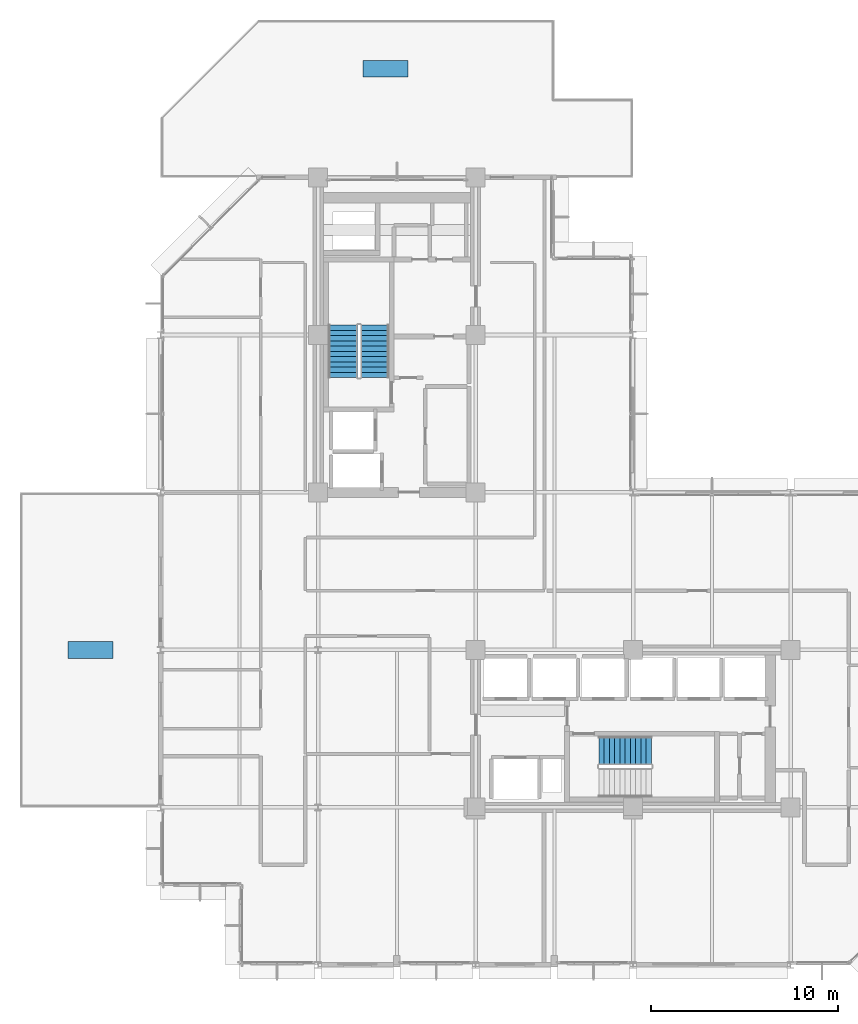
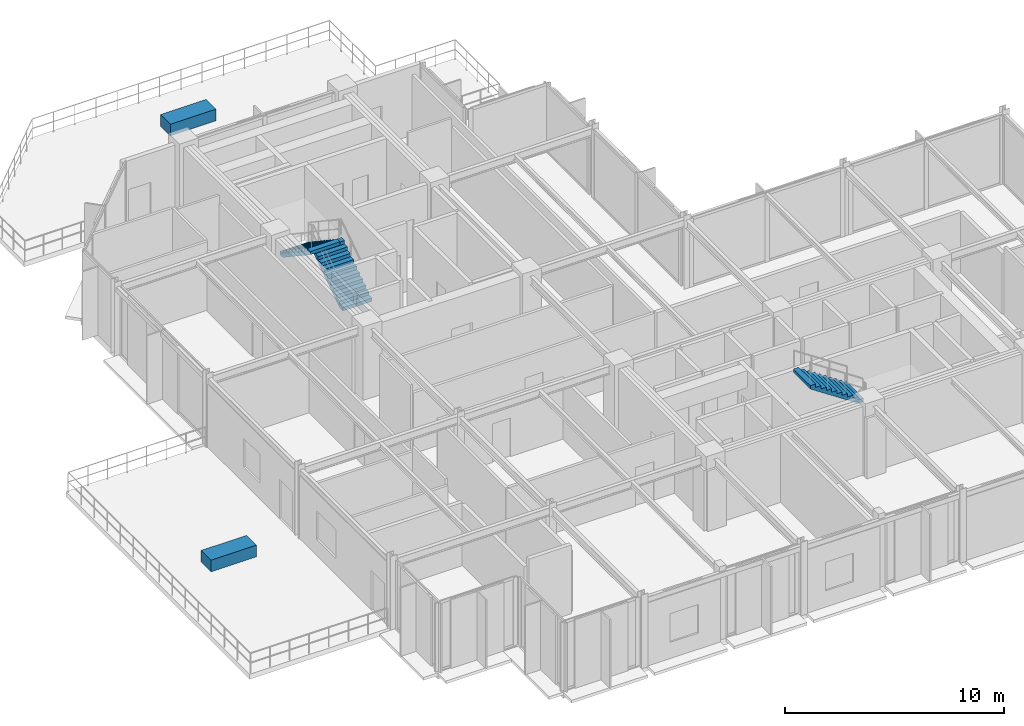
# One storey, part 18 of 21: 3 stair flights, 2 discrete accessories, 2 elements without a shape of their own.
"""IFC4 building model written with IfcOpenShell, lengths in metres."""

from ifc_helpers import new_model, si_unit, direction, frame, origin, origin_2d, place, context, subcontext, project, spatial, polyline, rectangle, outline, extrude, material, type_object, element, aggregate, save


model = new_model("IFC4")

# Units and contexts
model_context = context("Model", 3, precision=1e-05, world=origin(), true_north=direction((0.0, 1.0)))
body_context = subcontext(model_context, "Body", "Model", "MODEL_VIEW")
ifc_project = project(units=[si_unit("LENGTHUNIT", "METRE"), si_unit("AREAUNIT", "SQUARE_METRE"), si_unit("VOLUMEUNIT", "CUBIC_METRE"), si_unit("PLANEANGLEUNIT", "RADIAN"), si_unit("MASSUNIT", "GRAM", prefix="KILO")], contexts=[model_context])

# Site, building, storey
site_placement = place(None, origin())
site = spatial("IfcSite", under=ifc_project, at=site_placement, CompositionType="ELEMENT")
building_placement = place(site_placement, origin())
building = spatial("IfcBuilding", under=site, at=building_placement, Name="Nerrivon Quay Data Exchange", CompositionType="ELEMENT")
storey_placement = place(building_placement, frame((0.0, 0.0, 220.60009765625)))
storey = spatial("IfcBuildingStorey", under=building, at=storey_placement, Name="L52", CompositionType="ELEMENT", Elevation=220.60009765625)

# Stair, stair flights
ifc_material_1 = material(Name="Concrete N50 (50 MPa)", Category="concrete")
stair_type = type_object("IfcStairType", Name="STAIR-DOG-41", PredefinedType="HALF_TURN_STAIR", material=ifc_material_1)
stair_1_placement = place(storey_placement, origin())
stair_1 = element("IfcStair", 1, at=stair_1_placement, inside=storey, type_object=stair_type, Name="L52 West Core Fire Stair ST01", PredefinedType="HALF_TURN_STAIR")
stair_flight_type = type_object("IfcStairFlightType", Name="FLIGHT-DOG-41", PredefinedType="STRAIGHT", material=ifc_material_1)
stair_flight_1_placement = place(storey_placement, frame((11.425048828125, 31.330078125, 0.0), z_axis=(0.0, 0.0, 1.0), x_axis=(0.0, 1.0, 0.0)))
stair_flight_1 = element("IfcStairFlight", 2, at=stair_flight_1_placement, type_object=stair_flight_type, Name="ST01 flight 1", NumberOfRisers=11, NumberOfTreads=10, PredefinedType="STRAIGHT", RiserHeight=0.186363636, TreadLength=0.28, context=body_context, shape_type="SweptSolid", body=[
    extrude(outline(polyline([(0.0, 0.0), (0.0, 0.186279296875), (0.280029296875, 0.186279296875), (0.280029296875, 0.372802734375), (0.56005859375, 0.372802734375), (0.56005859375, 0.55908203125), (0.840087890625, 0.55908203125), (0.840087890625, 0.745361328125), (1.1201171875, 0.745361328125), (1.1201171875, 0.931884765625), (1.39990234375, 0.931884765625), (1.39990234375, 1.1181640625), (1.679931640625, 1.1181640625), (1.679931640625, 1.304443359375), (1.9599609375, 1.304443359375), (1.9599609375, 1.490966796875), (2.239990234375, 1.490966796875), (2.239990234375, 1.67724609375), (2.52001953125, 1.67724609375), (2.52001953125, 1.863525390625), (2.800048828125, 1.863525390625), (2.800048828125, 2.050048828125), (2.800048828125, 1.68359375), (0.2705078125, 0.0), (0.0, 0.0)])), frame((0.0, 0.77490234375, 0.0), z_axis=(0.0, -1.0, 0.0), x_axis=(1.0, 0.0, 0.0)), (0.0, 0.0, 1.0), 1.550048828125),
])
stair_flight_2_placement = place(storey_placement, frame((9.72509765625, 34.1298828125, 2.0498046875), z_axis=(0.0, 0.0, 1.0), x_axis=(0.0, -1.0, 0.0)))
stair_flight_2 = element("IfcStairFlight", 3, at=stair_flight_2_placement, type_object=stair_flight_type, Name="ST01 flight 2", NumberOfRisers=11, NumberOfTreads=10, PredefinedType="STRAIGHT", RiserHeight=0.186363636, TreadLength=0.28, context=body_context, shape_type="SweptSolid", body=[
    extrude(outline(polyline([(0.0, 0.0), (0.0, 0.186279296875), (0.280029296875, 0.186279296875), (0.280029296875, 0.372802734375), (0.56005859375, 0.372802734375), (0.56005859375, 0.55908203125), (0.840087890625, 0.55908203125), (0.840087890625, 0.745361328125), (1.1201171875, 0.745361328125), (1.1201171875, 0.931884765625), (1.39990234375, 0.931884765625), (1.39990234375, 1.1181640625), (1.679931640625, 1.1181640625), (1.679931640625, 1.304443359375), (1.9599609375, 1.304443359375), (1.9599609375, 1.490966796875), (2.239990234375, 1.490966796875), (2.239990234375, 1.67724609375), (2.52001953125, 1.67724609375), (2.52001953125, 1.863525390625), (2.800048828125, 1.863525390625), (2.800048828125, 2.050048828125), (2.800048828125, 1.68359375), (0.2705078125, 0.0), (0.0, 0.0)])), frame((0.0, 0.77490234375, 0.0), z_axis=(0.0, -1.0, 0.0), x_axis=(1.0, 0.0, 0.0)), (0.0, 0.0, 1.0), 1.550048828125),
])
aggregate(stair_1, [stair_flight_1, stair_flight_2])

# Stair, stair flight
stair_2_placement = place(storey_placement, origin())
stair_2 = element("IfcStair", 4, at=stair_2_placement, inside=storey, type_object=stair_type, Name="L52 East Core Fire Stair ST02", PredefinedType="HALF_TURN_STAIR")
stair_flight_3_placement = place(storey_placement, frame((26.179931640625, 11.425048828125, 2.0498046875), z_axis=(0.0, 0.0, 1.0), x_axis=(-1.0, 0.0, 0.0)))
stair_flight_3 = element("IfcStairFlight", 5, at=stair_flight_3_placement, type_object=stair_flight_type, Name="ST02 flight 2", NumberOfRisers=11, NumberOfTreads=10, PredefinedType="STRAIGHT", RiserHeight=0.186363636, TreadLength=0.28, context=body_context, shape_type="SweptSolid", body=[
    extrude(outline(polyline([(0.0, 0.0), (0.0, 0.186279296875), (0.280029296875, 0.186279296875), (0.280029296875, 0.372802734375), (0.56005859375, 0.372802734375), (0.56005859375, 0.55908203125), (0.840087890625, 0.55908203125), (0.840087890625, 0.745361328125), (1.1201171875, 0.745361328125), (1.1201171875, 0.931884765625), (1.39990234375, 0.931884765625), (1.39990234375, 1.1181640625), (1.679931640625, 1.1181640625), (1.679931640625, 1.304443359375), (1.9599609375, 1.304443359375), (1.9599609375, 1.490966796875), (2.239990234375, 1.490966796875), (2.239990234375, 1.67724609375), (2.52001953125, 1.67724609375), (2.52001953125, 1.863525390625), (2.800048828125, 1.863525390625), (2.800048828125, 2.050048828125), (2.800048828125, 1.68359375), (0.2705078125, 0.0), (0.0, 0.0)])), frame((0.0, 0.77490234375, 0.0), z_axis=(0.0, -1.0, 0.0), x_axis=(1.0, 0.0, 0.0)), (0.0, 0.0, 1.0), 1.550048828125),
])
aggregate(stair_2, [stair_flight_3])

# Discrete accessories
ifc_material_2 = material(Name="Precast concrete N50 (50 MPa)", Category="concrete")
discrete_accessory_type = type_object("IfcDiscreteAccessoryType", Name="ACC-PLANTER-1", PredefinedType="USERDEFINED", material=ifc_material_2)
for number, where, z_axis, x_axis, name in (
    (6, (12.007080078125, 47.800048828125, 0.0), (0.0, 0.0, 1.0), (1.0, 0.0, 0.0), "L52 Subtropical Sky-Garden Planter 1"),
    (7, (-3.75, 16.800048828125, 0.0), (0.0, 0.0, 1.0), (1.0, 0.0, 0.0), "L52 Subtropical Sky-Garden Planter 2"),
):
    element("IfcDiscreteAccessory", number, at=place(storey_placement, frame(where, z_axis=z_axis, x_axis=x_axis)), inside=storey, type_object=discrete_accessory_type, Name=name, ObjectType="PLANTER", PredefinedType="USERDEFINED", context=body_context, shape_type="SweptSolid", body=[
        extrude(rectangle(XDim=2.39990234375, YDim=0.89990234375, at=origin_2d()), origin(), (0.0, 0.0, 1.0), 0.64990234375),
    ])

save(model, "model.ifc")
